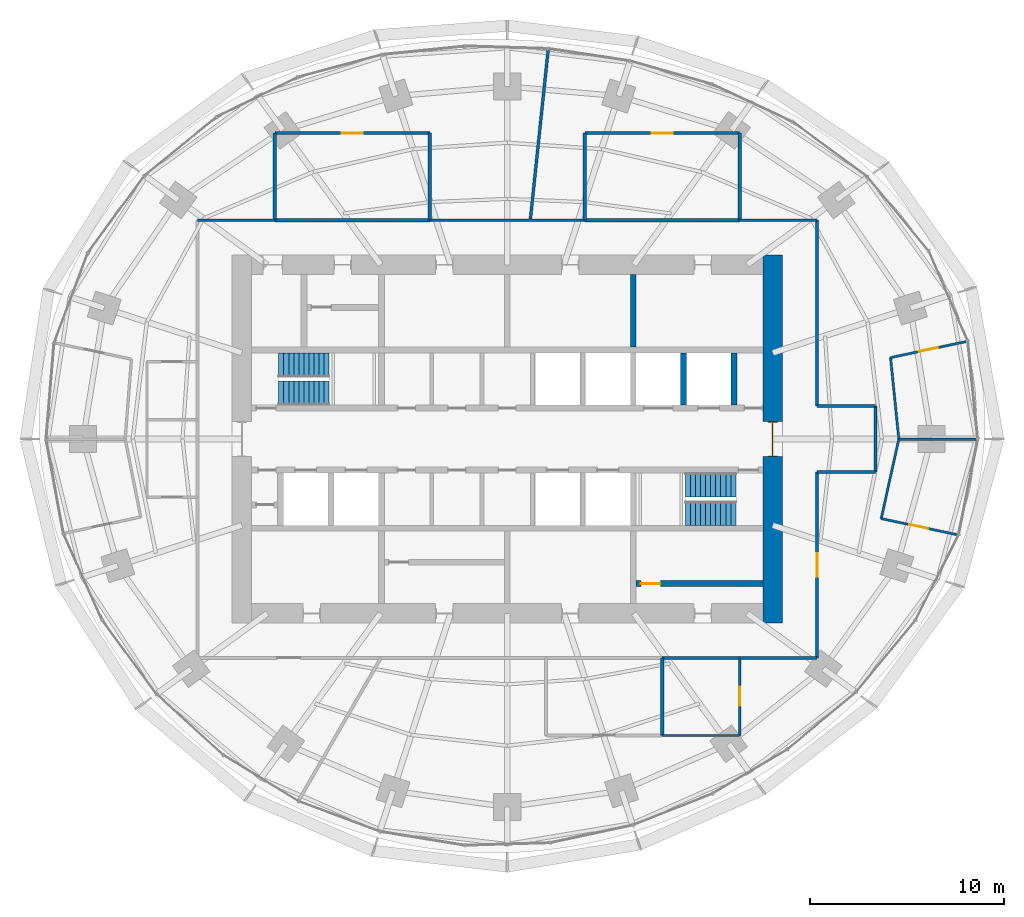
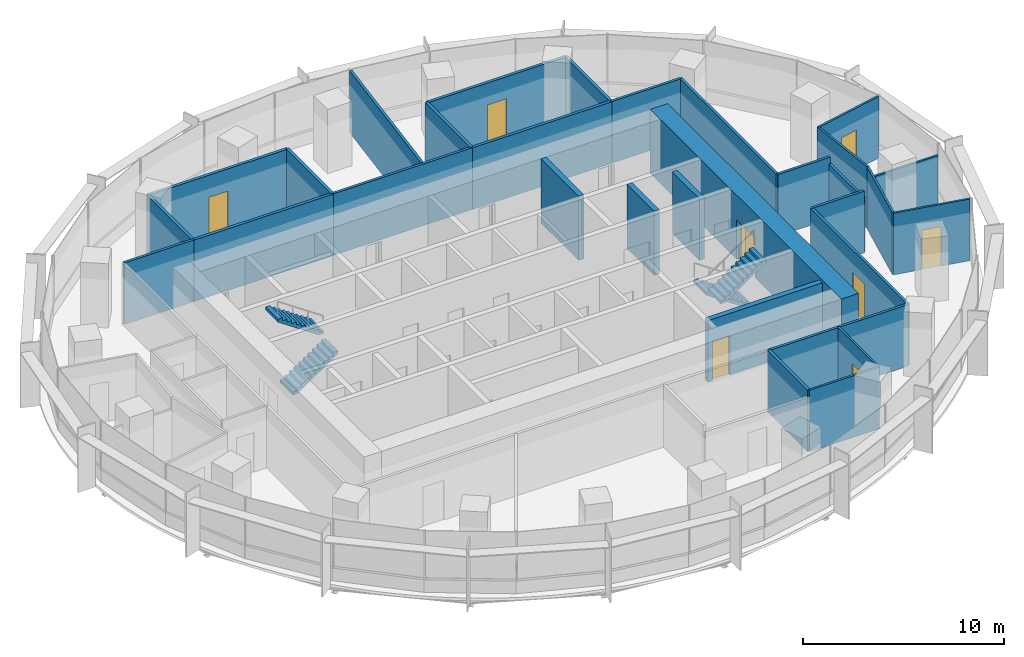
# One storey, part 12 of 14: 31 walls, 8 doors, 4 stair flights, 8 openings, 2 elements without a shape of their own.
"""IFC4 building model written with IfcOpenShell, lengths in metres."""

from ifc_helpers import new_model, si_unit, direction, frame, frame_2d, origin, place, context, subcontext, project, spatial, polyline, rectangle, outline, extrude, material, layer, layer_set, type_object, element, fill, aggregate, save


model = new_model("IFC4")

# Units and contexts
model_context = context("Model", 3, precision=1e-05, world=origin(), true_north=direction((0.0, 1.0)))
body_context = subcontext(model_context, "Body", "Model", "MODEL_VIEW")
ifc_project = project(units=[si_unit("LENGTHUNIT", "METRE"), si_unit("AREAUNIT", "SQUARE_METRE"), si_unit("VOLUMEUNIT", "CUBIC_METRE"), si_unit("PLANEANGLEUNIT", "RADIAN"), si_unit("MASSUNIT", "GRAM", prefix="KILO")], contexts=[model_context])

# Site, building, storey
site_placement = place(None, origin())
site = spatial("IfcSite", under=ifc_project, at=site_placement, CompositionType="ELEMENT")
building_placement = place(site_placement, origin())
building = spatial("IfcBuilding", under=site, at=building_placement, Name="Marramba Exchange Tower", CompositionType="ELEMENT")
storey_placement = place(building_placement, frame((0.0, 0.0, 183.800048828125)))
storey = spatial("IfcBuildingStorey", under=building, at=storey_placement, Name="L44", CompositionType="ELEMENT", Elevation=183.800048828125)

# Walls
ifc_material_1 = material(Name="Plasterboard on staggered double steel studs, acoustic insulation", Category="steel")
ifc_layer_1 = layer(ifc_material_1, 0.169921875)
ifc_layer_set_1 = layer_set([ifc_layer_1], Name="Acoustic partition 170")
wall_type_1 = type_object("IfcWallType", Name="Acoustic partition 170", PredefinedType="PARTITIONING", material=ifc_layer_set_1)
wall_1_placement = place(storey_placement, frame((8.0, -11.300048828125, 0.0), z_axis=(0.0, 0.0, 1.0), x_axis=(0.0, -1.0, 0.0)))
element("IfcWall", 1, at=wall_1_placement, inside=storey, type_object=wall_type_1, Name="Acoustic partition L44 09", PredefinedType="PARTITIONING", context=body_context, shape_type="SweptSolid", body=[
    extrude(rectangle(XDim=4.0, YDim=0.169921875, at=frame_2d((2.0, 0.0))), origin(), (0.0, 0.0, 1.0), 3.739990234375),
])
wall_2_placement = place(storey_placement, frame((12.0, 11.300048828125, 0.0), z_axis=(0.0, 0.0, 1.0), x_axis=(0.0, 1.0, 0.0)))
element("IfcWall", 2, at=wall_2_placement, inside=storey, type_object=wall_type_1, Name="Acoustic partition L44 24", PredefinedType="PARTITIONING", context=body_context, shape_type="SweptSolid", body=[
    extrude(rectangle(XDim=4.5, YDim=0.169921875, at=frame_2d((2.25, 0.0))), origin(), (0.0, 0.0, 1.0), 3.739990234375),
])
wall_3_placement = place(storey_placement, frame((4.0, 11.300048828125, 0.0), z_axis=(0.0, 0.0, 1.0), x_axis=(1.0, 0.0, 0.0)))
element("IfcWall", 3, at=wall_3_placement, inside=storey, type_object=wall_type_1, Name="Acoustic partition L44 25", PredefinedType="PARTITIONING", context=body_context, shape_type="SweptSolid", body=[
    extrude(rectangle(XDim=8.0, YDim=0.169921875, at=frame_2d((4.0, 0.0))), origin(), (0.0, 0.0, 1.0), 3.739990234375),
])

# Wall, opening, door
wall_4_placement = place(storey_placement, frame((12.0, 15.800048828125, 0.0), z_axis=(0.0, 0.0, 1.0), x_axis=(-1.0, 0.0, 0.0)))
wall_4 = element("IfcWall", 4, at=wall_4_placement, inside=storey, type_object=wall_type_1, Name="Acoustic partition L44 26", PredefinedType="PARTITIONING", context=body_context, shape_type="SweptSolid", body=[
    extrude(rectangle(XDim=8.0, YDim=0.169921875, at=frame_2d((4.0, 0.0))), origin(), (0.0, 0.0, 1.0), 3.739990234375),
])
opening_1_placement = place(wall_4_placement, frame((3.449951171875, 0.0, 0.0)))
opening_1 = element("IfcOpeningElement", 5, at=opening_1_placement, cuts=wall_4, Name="Opening D15", PredefinedType="OPENING", context=body_context, shape_type="SweptSolid", body=[
    extrude(rectangle(XDim=1.10009765625, YDim=2.39990234375, at=frame_2d((0.550048828125, 1.199951171875))), frame((0.0, 0.094970703125, 0.0), z_axis=(0.0, -1.0, 0.0), x_axis=(1.0, 0.0, 0.0)), (0.0, 0.0, 1.0), 0.18994140625),
])
ifc_material_2 = material(Name="Timber door", Category="wood")
door_type_1 = type_object("IfcDoorType", Name="Glazed meeting room door 1100x2400", OperationType="SINGLE_SWING_LEFT", PredefinedType="DOOR", material=ifc_material_2)
door_1_placement = place(opening_1_placement, origin())
door_1 = element("IfcDoor", 6, at=door_1_placement, inside=storey, type_object=door_type_1, Name="D15 Meeting Room 1 L44", OperationType="SINGLE_SWING_RIGHT", OverallHeight=2.39990234375, OverallWidth=1.10009765625, PredefinedType="DOOR", context=body_context, shape_type="SweptSolid", body=[
    extrude(rectangle(XDim=1.10009765625, YDim=2.39990234375, at=frame_2d((0.550048828125, 1.199951171875))), frame((0.0, 0.02490234375, 0.0), z_axis=(0.0, -1.0, 0.0), x_axis=(1.0, 0.0, 0.0)), (0.0, 0.0, 1.0), 0.050048828125),
])
fill(opening_1, door_1)

# Walls
for number, where, z_axis, x_axis, name in (
    (7, (4.0, 15.800048828125, 0.0), (0.0, 0.0, 1.0), (0.0, -1.0, 0.0), "Acoustic partition L44 27"),
    (8, (-4.0, 11.300048828125, 0.0), (0.0, 0.0, 1.0), (0.0, 1.0, 0.0), "Acoustic partition L44 30"),
):
    element("IfcWall", number, at=place(storey_placement, frame(where, z_axis=z_axis, x_axis=x_axis)), inside=storey, type_object=wall_type_1, Name=name, PredefinedType="PARTITIONING", context=body_context, shape_type="SweptSolid", body=[
        extrude(rectangle(XDim=4.5, YDim=0.169921875, at=frame_2d((2.25, 0.0))), origin(), (0.0, 0.0, 1.0), 3.739990234375),
    ])

# Wall, opening, door
wall_5_placement = place(storey_placement, frame((-4.0, 15.800048828125, 0.0), z_axis=(0.0, 0.0, 1.0), x_axis=(-1.0, 0.0, 0.0)))
wall_5 = element("IfcWall", 9, at=wall_5_placement, inside=storey, type_object=wall_type_1, Name="Acoustic partition L44 31", PredefinedType="PARTITIONING", context=body_context, shape_type="SweptSolid", body=[
    extrude(rectangle(XDim=8.0, YDim=0.169921875, at=frame_2d((4.0, 0.0))), origin(), (0.0, 0.0, 1.0), 3.739990234375),
])
opening_2_placement = place(wall_5_placement, frame((3.449951171875, 0.0, 0.0)))
opening_2 = element("IfcOpeningElement", 10, at=opening_2_placement, cuts=wall_5, Name="Opening D15", PredefinedType="OPENING", context=body_context, shape_type="SweptSolid", body=[
    extrude(rectangle(XDim=1.10009765625, YDim=2.39990234375, at=frame_2d((0.550048828125, 1.199951171875))), frame((0.0, 0.094970703125, 0.0), z_axis=(0.0, -1.0, 0.0), x_axis=(1.0, 0.0, 0.0)), (0.0, 0.0, 1.0), 0.18994140625),
])
door_2_placement = place(opening_2_placement, origin())
door_2 = element("IfcDoor", 11, at=door_2_placement, inside=storey, type_object=door_type_1, Name="D15 Meeting Room 3 L44", OperationType="SINGLE_SWING_RIGHT", OverallHeight=2.39990234375, OverallWidth=1.10009765625, PredefinedType="DOOR", context=body_context, shape_type="SweptSolid", body=[
    extrude(rectangle(XDim=1.10009765625, YDim=2.39990234375, at=frame_2d((0.550048828125, 1.199951171875))), frame((0.0, 0.02490234375, 0.0), z_axis=(0.0, -1.0, 0.0), x_axis=(1.0, 0.0, 0.0)), (0.0, 0.0, 1.0), 0.050048828125),
])
fill(opening_2, door_2)

# Walls
wall_6_placement = place(storey_placement, frame((-12.0, 11.300048828125, 0.0), z_axis=(0.0, 0.0, 1.0), x_axis=(1.0, 0.0, 0.0)))
element("IfcWall", 12, at=wall_6_placement, inside=storey, type_object=wall_type_1, Name="Acoustic partition L44 32", PredefinedType="PARTITIONING", context=body_context, shape_type="SweptSolid", body=[
    extrude(rectangle(XDim=8.0, YDim=0.169921875, at=frame_2d((4.0, 0.0))), origin(), (0.0, 0.0, 1.0), 3.739990234375),
])
wall_7_placement = place(storey_placement, frame((-12.0, 15.800048828125, 0.0), z_axis=(0.0, 0.0, 1.0), x_axis=(0.0, -1.0, 0.0)))
element("IfcWall", 13, at=wall_7_placement, inside=storey, type_object=wall_type_1, Name="Acoustic partition L44 33", PredefinedType="PARTITIONING", context=body_context, shape_type="SweptSolid", body=[
    extrude(rectangle(XDim=4.5, YDim=0.169921875, at=frame_2d((2.25, 0.0))), origin(), (0.0, 0.0, 1.0), 3.739990234375),
])

# Wall, opening, door
ifc_material_3 = material(Name="Concrete N50", Category="concrete")
ifc_layer_2 = layer(ifc_material_3, 1.0)
ifc_layer_set_2 = layer_set([ifc_layer_2], Name="Core wall 1000")
wall_type_2 = type_object("IfcWallType", Name="Core wall 1000", PredefinedType="SHEAR", material=ifc_layer_set_2)
wall_8_placement = place(storey_placement, frame((13.699951171875, -9.5, 0.0), z_axis=(0.0, 0.0, 1.0), x_axis=(0.0, 1.0, 0.0)))
wall_8 = element("IfcWall", 14, at=wall_8_placement, inside=storey, type_object=wall_type_2, Name="Core wall E L44", PredefinedType="SHEAR", context=body_context, shape_type="SweptSolid", body=[
    extrude(rectangle(XDim=19.0, YDim=1.0, at=frame_2d((9.5, 0.0))), origin(), (0.0, 0.0, 1.0), 3.89990234375),
])
opening_3_placement = place(wall_8_placement, frame((8.60009765625, 0.0, 0.0)))
opening_3 = element("IfcOpeningElement", 15, at=opening_3_placement, cuts=wall_8, Name="Opening D1", PredefinedType="OPENING", context=body_context, shape_type="SweptSolid", body=[
    extrude(rectangle(XDim=1.800048828125, YDim=2.39990234375, at=frame_2d((0.89990234375, 1.199951171875))), frame((0.0, 0.510009765625, 0.0), z_axis=(0.0, -1.0, 0.0), x_axis=(1.0, 0.0, 0.0)), (0.0, 0.0, 1.0), 1.02001953125),
])
ifc_material_4 = material(Name="Steel-framed door", Category="steel")
door_type_2 = type_object("IfcDoorType", Name="Lobby exit door 1800x2400", OperationType="DOUBLE_DOOR_SINGLE_SWING", PredefinedType="DOOR", material=ifc_material_4)
door_3_placement = place(opening_3_placement, origin())
door_3 = element("IfcDoor", 16, at=door_3_placement, inside=storey, type_object=door_type_2, Name="D1 lobby exit east L44", OperationType="DOUBLE_DOOR_SINGLE_SWING", OverallHeight=2.39990234375, OverallWidth=1.800048828125, PredefinedType="DOOR", context=body_context, shape_type="SweptSolid", body=[
    extrude(rectangle(XDim=1.719970703125, YDim=2.35986328125, at=frame_2d((0.89990234375, 1.179931640625))), frame((0.0, 0.02490234375, 0.0), z_axis=(0.0, -1.0, 0.0), x_axis=(1.0, 0.0, 0.0)), (0.0, 0.0, 1.0), 0.050048828125),
    extrude(rectangle(XDim=0.04, YDim=2.39990234375, at=frame_2d((0.02001953125, 1.199951171875))), frame((0.0, 0.25, 0.0), z_axis=(0.0, -1.0, 0.0), x_axis=(1.0, 0.0, 0.0)), (0.0, 0.0, 1.0), 0.5),
    extrude(rectangle(XDim=0.04, YDim=2.39990234375, at=frame_2d((1.780029296875, 1.199951171875))), frame((0.0, 0.25, 0.0), z_axis=(0.0, -1.0, 0.0), x_axis=(1.0, 0.0, 0.0)), (0.0, 0.0, 1.0), 0.5),
    extrude(rectangle(XDim=1.719970703125, YDim=0.04, at=frame_2d((0.89990234375, 2.3798828125))), frame((0.0, 0.25, 0.0), z_axis=(0.0, -1.0, 0.0), x_axis=(1.0, 0.0, 0.0)), (0.0, 0.0, 1.0), 0.5),
])
fill(opening_3, door_3)

# Walls
ifc_layer_3 = layer(ifc_material_3, 0.300048828125)
ifc_layer_set_3 = layer_set([ifc_layer_3], Name="Core wall 300")
wall_type_3 = type_object("IfcWallType", Name="Core wall 300", PredefinedType="SHEAR", material=ifc_layer_set_3)
wall_9_placement = place(storey_placement, frame((6.5, 4.75, 0.0), z_axis=(0.0, 0.0, 1.0), x_axis=(0.0, 1.0, 0.0)))
element("IfcWall", 17, at=wall_9_placement, inside=storey, type_object=wall_type_3, Name="Core wall X1Nb L44", PredefinedType="SHEAR", context=body_context, shape_type="SweptSolid", body=[
    extrude(rectangle(XDim=3.75, YDim=0.300048828125, at=frame_2d((1.875, 0.0))), origin(), (0.0, 0.0, 1.0), 3.89990234375),
])
wall_10_placement = place(storey_placement, frame((9.10009765625, 1.75, 0.0), z_axis=(0.0, 0.0, 1.0), x_axis=(0.0, 1.0, 0.0)))
element("IfcWall", 18, at=wall_10_placement, inside=storey, type_object=wall_type_3, Name="Core wall ED L44", PredefinedType="SHEAR", context=body_context, shape_type="SweptSolid", body=[
    extrude(rectangle(XDim=2.699951171875, YDim=0.300048828125, at=frame_2d((1.35009765625, 0.0))), origin(), (0.0, 0.0, 1.0), 3.89990234375),
])
ifc_material_5 = material(Name="Core-filled concrete blockwork", Category="masonry")
ifc_layer_4 = layer(ifc_material_5, 0.300048828125)
ifc_layer_set_4 = layer_set([ifc_layer_4], Name="Lift shaft wall 300")
wall_type_4 = type_object("IfcWallType", Name="Lift shaft wall 300", PredefinedType="SOLIDWALL", material=ifc_layer_set_4)
wall_11_placement = place(storey_placement, frame((11.699951171875, 1.75, 0.0), z_axis=(0.0, 0.0, 1.0), x_axis=(0.0, 1.0, 0.0)))
element("IfcWall", 19, at=wall_11_placement, inside=storey, type_object=wall_type_4, Name="Lift shaft wall E1 L44", PredefinedType="SOLIDWALL", context=body_context, shape_type="SweptSolid", body=[
    extrude(rectangle(XDim=2.699951171875, YDim=0.300048828125, at=frame_2d((1.35009765625, 0.0))), origin(), (0.0, 0.0, 1.0), 3.739990234375),
])
ifc_material_6 = material(Name="Plasterboard on steel studs", Category="steel")
ifc_layer_5 = layer(ifc_material_6, 0.1201171875)
ifc_layer_set_5 = layer_set([ifc_layer_5], Name="Partition 120")
wall_type_5 = type_object("IfcWallType", Name="Partition 120", PredefinedType="PARTITIONING", material=ifc_layer_set_5)
wall_12_placement = place(storey_placement, frame((8.0, -15.300048828125, 0.0), z_axis=(0.0, 0.0, 1.0), x_axis=(1.0, 0.0, 0.0)))
element("IfcWall", 20, at=wall_12_placement, inside=storey, type_object=wall_type_5, Name="Partition L44 10", PredefinedType="PARTITIONING", context=body_context, shape_type="SweptSolid", body=[
    extrude(rectangle(XDim=4.0, YDim=0.1201171875, at=frame_2d((2.0, 0.0))), origin(), (0.0, 0.0, 1.0), 3.739990234375),
])

# Wall, opening, door
wall_13_placement = place(storey_placement, frame((12.0, -15.300048828125, 0.0), z_axis=(0.0, 0.0, 1.0), x_axis=(0.0, 1.0, 0.0)))
wall_13 = element("IfcWall", 21, at=wall_13_placement, inside=storey, type_object=wall_type_5, Name="Partition L44 11", PredefinedType="PARTITIONING", context=body_context, shape_type="SweptSolid", body=[
    extrude(rectangle(XDim=4.0, YDim=0.1201171875, at=frame_2d((2.0, 0.0))), origin(), (0.0, 0.0, 1.0), 3.739990234375),
])
opening_4_placement = place(wall_13_placement, frame((1.52587890625, 0.0, 0.0)))
opening_4 = element("IfcOpeningElement", 22, at=opening_4_placement, cuts=wall_13, Name="Opening D9", PredefinedType="OPENING", context=body_context, shape_type="SweptSolid", body=[
    extrude(rectangle(XDim=1.0, YDim=2.39990234375, at=frame_2d((0.5, 1.199951171875))), frame((0.0, 0.070068359375, 0.0), z_axis=(0.0, -1.0, 0.0), x_axis=(1.0, 0.0, 0.0)), (0.0, 0.0, 1.0), 0.14013671875),
])
door_type_3 = type_object("IfcDoorType", Name="Room door 1000x2400", OperationType="SINGLE_SWING_LEFT", PredefinedType="DOOR", material=ifc_material_2)
door_4_placement = place(opening_4_placement, origin())
door_4 = element("IfcDoor", 23, at=door_4_placement, inside=storey, type_object=door_type_3, Name="D9 Pantry 1 L44", OperationType="SINGLE_SWING_RIGHT", OverallHeight=2.39990234375, OverallWidth=1.0, PredefinedType="DOOR", context=body_context, shape_type="SweptSolid", body=[
    extrude(rectangle(XDim=1.0, YDim=2.39990234375, at=frame_2d((0.5, 1.199951171875))), frame((0.0, 0.02490234375, 0.0), z_axis=(0.0, -1.0, 0.0), x_axis=(1.0, 0.0, 0.0)), (0.0, 0.0, 1.0), 0.050048828125),
])
fill(opening_4, door_4)

wall_14_placement = place(storey_placement, frame((19.3056640625, -4.103515625, 0.0), z_axis=(0.0, 0.0, 1.0), x_axis=(0.978137903693, -0.207957306576, 0.0)))
wall_14 = element("IfcWall", 24, at=wall_14_placement, inside=storey, type_object=wall_type_5, Name="Partition L44 14", PredefinedType="PARTITIONING", context=body_context, shape_type="SweptSolid", body=[
    extrude(rectangle(XDim=3.999755859375, YDim=0.1201171875, at=frame_2d((2.0, 0.0))), origin(), (0.0, 0.0, 1.0), 3.739990234375),
])
opening_5_placement = place(wall_14_placement, frame((1.47412109375, 0.0, 0.0)))
opening_5 = element("IfcOpeningElement", 25, at=opening_5_placement, cuts=wall_14, Name="Opening D9", PredefinedType="OPENING", context=body_context, shape_type="SweptSolid", body=[
    extrude(rectangle(XDim=1.0, YDim=2.39990234375, at=frame_2d((0.5, 1.199951171875))), frame((0.0, 0.070068359375, 0.0), z_axis=(0.0, -1.0, 0.0), x_axis=(1.0, 0.0, 0.0)), (0.0, 0.0, 1.0), 0.14013671875),
])
door_5_placement = place(opening_5_placement, origin())
door_5 = element("IfcDoor", 26, at=door_5_placement, inside=storey, type_object=door_type_3, Name="D9 Office 1 L44", OperationType="SINGLE_SWING_LEFT", OverallHeight=2.39990234375, OverallWidth=1.0, PredefinedType="DOOR", context=body_context, shape_type="SweptSolid", body=[
    extrude(rectangle(XDim=1.0, YDim=2.39990234375, at=frame_2d((0.5, 1.199951171875))), frame((0.0, 0.02490234375, 0.0), z_axis=(0.0, -1.0, 0.0), x_axis=(1.0, 0.0, 0.0)), (0.0, 0.0, 1.0), 0.050048828125),
])
fill(opening_5, door_5)

# Walls
wall_15_placement = place(storey_placement, frame((20.214111328125, 0.0, 0.0), z_axis=(0.0, 0.0, 1.0), x_axis=(-0.216149261834, -0.976360331337, 0.0)))
element("IfcWall", 27, at=wall_15_placement, inside=storey, type_object=wall_type_5, Name="Partition L44 15", PredefinedType="PARTITIONING", context=body_context, shape_type="SweptSolid", body=[
    extrude(rectangle(XDim=4.202880859375, YDim=0.1201171875, at=frame_2d((2.1015625, 0.0))), origin(), (0.0, 0.0, 1.0), 3.739990234375),
])
wall_16_placement = place(storey_placement, frame((20.214111328125, 0.0, 0.0), z_axis=(0.0, 0.0, 1.0), x_axis=(1.0, 0.0, 0.0)))
element("IfcWall", 28, at=wall_16_placement, inside=storey, type_object=wall_type_5, Name="Partition L44 18", PredefinedType="PARTITIONING", context=body_context, shape_type="SweptSolid", body=[
    extrude(rectangle(XDim=4.0, YDim=0.1201171875, at=frame_2d((2.0, 0.0))), origin(), (0.0, 0.0, 1.0), 3.0400390625),
])
wall_17_placement = place(storey_placement, frame((19.787841796875, 4.2060546875, 0.0), z_axis=(0.0, 0.0, 1.0), x_axis=(0.100830147459, -0.994903654312, 0.0)))
element("IfcWall", 29, at=wall_17_placement, inside=storey, type_object=wall_type_5, Name="Partition L44 20", PredefinedType="PARTITIONING", context=body_context, shape_type="SweptSolid", body=[
    extrude(rectangle(XDim=4.2275390625, YDim=0.1201171875, at=frame_2d((2.11376953125, 0.0))), origin(), (0.0, 0.0, 1.0), 3.739990234375),
])

# Wall, opening, door
wall_18_placement = place(storey_placement, frame((23.700439453125, 5.03759765625, 0.0), z_axis=(0.0, 0.0, 1.0), x_axis=(-0.978152955943, -0.207886494942, 0.0)))
wall_18 = element("IfcWall", 30, at=wall_18_placement, inside=storey, type_object=wall_type_5, Name="Partition L44 21", PredefinedType="PARTITIONING", context=body_context, shape_type="SweptSolid", body=[
    extrude(rectangle(XDim=4.0, YDim=0.1201171875, at=frame_2d((2.0, 0.0))), origin(), (0.0, 0.0, 1.0), 3.739990234375),
])
opening_6_placement = place(wall_18_placement, frame((1.5, 0.0, 0.0)))
opening_6 = element("IfcOpeningElement", 31, at=opening_6_placement, cuts=wall_18, Name="Opening D9", PredefinedType="OPENING", context=body_context, shape_type="SweptSolid", body=[
    extrude(rectangle(XDim=1.0, YDim=2.39990234375, at=frame_2d((0.5, 1.199951171875))), frame((0.0, 0.070068359375, 0.0), z_axis=(0.0, -1.0, 0.0), x_axis=(1.0, 0.0, 0.0)), (0.0, 0.0, 1.0), 0.14013671875),
])
door_6_placement = place(opening_6_placement, origin())
door_6 = element("IfcDoor", 32, at=door_6_placement, inside=storey, type_object=door_type_3, Name="D9 Office 2 L44", OperationType="SINGLE_SWING_RIGHT", OverallHeight=2.39990234375, OverallWidth=1.0, PredefinedType="DOOR", context=body_context, shape_type="SweptSolid", body=[
    extrude(rectangle(XDim=1.0, YDim=2.39990234375, at=frame_2d((0.5, 1.199951171875))), frame((0.0, 0.02490234375, 0.0), z_axis=(0.0, -1.0, 0.0), x_axis=(1.0, 0.0, 0.0)), (0.0, 0.0, 1.0), 0.050048828125),
])
fill(opening_6, door_6)

ifc_material_7 = material(Name="Plasterboard on steel studs, insulated, unrated", Category="steel")
ifc_layer_6 = layer(ifc_material_7, 0.300048828125)
ifc_layer_set_6 = layer_set([ifc_layer_6], Name="Store partition 300")
wall_type_6 = type_object("IfcWallType", Name="Store partition 300", PredefinedType="PARTITIONING", material=ifc_layer_set_6)
wall_19_placement = place(storey_placement, frame((6.64990234375, -7.4599609375, 0.0), z_axis=(0.0, 0.0, 1.0), x_axis=(1.0, 0.0, 0.0)))
wall_19 = element("IfcWall", 33, at=wall_19_placement, inside=storey, type_object=wall_type_6, Name="Store partition L44 cstore", PredefinedType="PARTITIONING", context=body_context, shape_type="SweptSolid", body=[
    extrude(rectangle(XDim=6.550048828125, YDim=0.300048828125, at=frame_2d((3.27490234375, 0.0))), origin(), (0.0, 0.0, 1.0), 3.739990234375),
])
opening_7_placement = place(wall_19_placement, frame((0.25, 0.0, 0.0)))
opening_7 = element("IfcOpeningElement", 34, at=opening_7_placement, cuts=wall_19, Name="Opening D9", PredefinedType="OPENING", context=body_context, shape_type="SweptSolid", body=[
    extrude(rectangle(XDim=1.0, YDim=2.39990234375, at=frame_2d((0.5, 1.199951171875))), frame((0.0, 0.159912109375, 0.0), z_axis=(0.0, -1.0, 0.0), x_axis=(1.0, 0.0, 0.0)), (0.0, 0.0, 1.0), 0.320068359375),
])
door_7_placement = place(opening_7_placement, frame((1.0, 0.0, 0.0), z_axis=(0.0, 0.0, 1.0), x_axis=(-1.0, 0.0, 0.0)))
door_7 = element("IfcDoor", 35, at=door_7_placement, inside=storey, type_object=door_type_3, Name="D9 general store L44", OperationType="SINGLE_SWING_RIGHT", OverallHeight=2.39990234375, OverallWidth=1.0, PredefinedType="DOOR", context=body_context, shape_type="SweptSolid", body=[
    extrude(rectangle(XDim=1.0, YDim=2.39990234375, at=frame_2d((0.5, 1.199951171875))), frame((0.0, 0.025146484375, 0.0), z_axis=(0.0, -1.0, 0.0), x_axis=(1.0, 0.0, 0.0)), (0.0, 0.0, 1.0), 0.050048828125),
])
fill(opening_7, door_7)

# Wall
ifc_material_8 = material(Name="Fire-rated plasterboard on steel studs, acoustic insulation", Category="steel")
ifc_layer_7 = layer(ifc_material_8, 0.14990234375)
ifc_layer_set_7 = layer_set([ifc_layer_7], Name="Tenancy wall 150")
wall_type_7 = type_object("IfcWallType", Name="Tenancy wall 150", PredefinedType="PARTITIONING", material=ifc_layer_set_7)
wall_20_placement = place(storey_placement, frame((8.0, -11.300048828125, 0.0), z_axis=(0.0, 0.0, 1.0), x_axis=(1.0, 0.0, 0.0)))
element("IfcWall", 36, at=wall_20_placement, inside=storey, type_object=wall_type_7, Name="Tenancy wall L44 12", PredefinedType="PARTITIONING", context=body_context, shape_type="SweptSolid", body=[
    extrude(rectangle(XDim=8.0, YDim=0.14990234375, at=frame_2d((4.0, 0.0))), origin(), (0.0, 0.0, 1.0), 3.739990234375),
])

# Wall, opening, door
wall_21_placement = place(storey_placement, frame((16.0, -11.300048828125, 0.0), z_axis=(0.0, 0.0, 1.0), x_axis=(0.0, 1.0, 0.0)))
wall_21 = element("IfcWall", 37, at=wall_21_placement, inside=storey, type_object=wall_type_7, Name="Tenancy wall L44 13", PredefinedType="PARTITIONING", context=body_context, shape_type="SweptSolid", body=[
    extrude(rectangle(XDim=9.60009765625, YDim=0.14990234375, at=frame_2d((4.800048828125, 0.0))), origin(), (0.0, 0.0, 1.0), 3.739990234375),
])
opening_8_placement = place(wall_21_placement, frame((4.199951171875, 0.0, 0.0)))
opening_8 = element("IfcOpeningElement", 38, at=opening_8_placement, cuts=wall_21, Name="Opening D13", PredefinedType="OPENING", context=body_context, shape_type="SweptSolid", body=[
    extrude(rectangle(XDim=1.199951171875, YDim=2.39990234375, at=frame_2d((0.60009765625, 1.199951171875))), frame((0.0, 0.0849609375, 0.0), z_axis=(0.0, -1.0, 0.0), x_axis=(1.0, 0.0, 0.0)), (0.0, 0.0, 1.0), 0.169921875),
])
door_type_4 = type_object("IfcDoorType", Name="Tenancy entry door 1200x2400", OperationType="SINGLE_SWING_LEFT", PredefinedType="DOOR", material=ifc_material_4)
door_8_placement = place(opening_8_placement, origin())
door_8 = element("IfcDoor", 39, at=door_8_placement, inside=storey, type_object=door_type_4, Name="D13 Office 1 L44", OperationType="SINGLE_SWING_LEFT", OverallHeight=2.39990234375, OverallWidth=1.199951171875, PredefinedType="DOOR", context=body_context, shape_type="SweptSolid", body=[
    extrude(rectangle(XDim=1.199951171875, YDim=2.39990234375, at=frame_2d((0.60009765625, 1.199951171875))), frame((0.0, 0.02490234375, 0.0), z_axis=(0.0, -1.0, 0.0), x_axis=(1.0, 0.0, 0.0)), (0.0, 0.0, 1.0), 0.050048828125),
])
fill(opening_8, door_8)

# Walls
wall_22_placement = place(storey_placement, frame((16.0, -1.699951171875, 0.0), z_axis=(0.0, 0.0, 1.0), x_axis=(1.0, 0.0, 0.0)))
element("IfcWall", 40, at=wall_22_placement, inside=storey, type_object=wall_type_7, Name="Tenancy wall L44 16", PredefinedType="PARTITIONING", context=body_context, shape_type="SweptSolid", body=[
    extrude(rectangle(XDim=3.0, YDim=0.14990234375, at=frame_2d((1.5, 0.0))), origin(), (0.0, 0.0, 1.0), 3.739990234375),
])
wall_23_placement = place(storey_placement, frame((19.0, -1.699951171875, 0.0), z_axis=(0.0, 0.0, 1.0), x_axis=(0.0, 1.0, 0.0)))
element("IfcWall", 41, at=wall_23_placement, inside=storey, type_object=wall_type_7, Name="Tenancy wall L44 17", PredefinedType="PARTITIONING", context=body_context, shape_type="SweptSolid", body=[
    extrude(rectangle(XDim=3.39990234375, YDim=0.14990234375, at=frame_2d((1.699951171875, 0.0))), origin(), (0.0, 0.0, 1.0), 3.333984375),
])
wall_24_placement = place(storey_placement, frame((19.0, 1.699951171875, 0.0), z_axis=(0.0, 0.0, 1.0), x_axis=(-1.0, 0.0, 0.0)))
element("IfcWall", 42, at=wall_24_placement, inside=storey, type_object=wall_type_7, Name="Tenancy wall L44 19", PredefinedType="PARTITIONING", context=body_context, shape_type="SweptSolid", body=[
    extrude(rectangle(XDim=3.0, YDim=0.14990234375, at=frame_2d((1.5, 0.0))), origin(), (0.0, 0.0, 1.0), 3.739990234375),
])
wall_25_placement = place(storey_placement, frame((16.0, 1.699951171875, 0.0), z_axis=(0.0, 0.0, 1.0), x_axis=(0.0, 1.0, 0.0)))
element("IfcWall", 43, at=wall_25_placement, inside=storey, type_object=wall_type_7, Name="Tenancy wall L44 22", PredefinedType="PARTITIONING", context=body_context, shape_type="SweptSolid", body=[
    extrude(rectangle(XDim=9.60009765625, YDim=0.14990234375, at=frame_2d((4.800048828125, 0.0))), origin(), (0.0, 0.0, 1.0), 3.739990234375),
])
wall_26_placement = place(storey_placement, frame((16.0, 11.300048828125, 0.0), z_axis=(0.0, 0.0, 1.0), x_axis=(-1.0, 0.0, 0.0)))
element("IfcWall", 44, at=wall_26_placement, inside=storey, type_object=wall_type_7, Name="Tenancy wall L44 23", PredefinedType="PARTITIONING", context=body_context, shape_type="SweptSolid", body=[
    extrude(rectangle(XDim=4.0, YDim=0.14990234375, at=frame_2d((2.0, 0.0))), origin(), (0.0, 0.0, 1.0), 3.739990234375),
])
wall_27_placement = place(storey_placement, frame((1.187744140625, 11.300048828125, 0.0), z_axis=(0.0, 0.0, 1.0), x_axis=(0.104530715581, 0.994521658638, 0.0)))
element("IfcWall", 45, at=wall_27_placement, inside=storey, type_object=wall_type_7, Name="Tenancy wall L44 28", PredefinedType="PARTITIONING", context=body_context, shape_type="SweptSolid", body=[
    extrude(rectangle(XDim=8.826171875, YDim=0.14990234375, at=frame_2d((4.4130859375, 0.0))), origin(), (0.0, 0.0, 1.0), 3.739990234375),
])
wall_28_placement = place(storey_placement, frame((4.0, 11.300048828125, 0.0), z_axis=(0.0, 0.0, 1.0), x_axis=(-1.0, 0.0, 0.0)))
element("IfcWall", 46, at=wall_28_placement, inside=storey, type_object=wall_type_7, Name="Tenancy wall L44 29", PredefinedType="PARTITIONING", context=body_context, shape_type="SweptSolid", body=[
    extrude(rectangle(XDim=8.0, YDim=0.14990234375, at=frame_2d((4.0, 0.0))), origin(), (0.0, 0.0, 1.0), 3.739990234375),
])
wall_29_placement = place(storey_placement, frame((-12.0, 11.300048828125, 0.0), z_axis=(0.0, 0.0, 1.0), x_axis=(-1.0, 0.0, 0.0)))
element("IfcWall", 47, at=wall_29_placement, inside=storey, type_object=wall_type_7, Name="Tenancy wall L44 34", PredefinedType="PARTITIONING", context=body_context, shape_type="SweptSolid", body=[
    extrude(rectangle(XDim=4.0, YDim=0.14990234375, at=frame_2d((2.0, 0.0))), origin(), (0.0, 0.0, 1.0), 3.739990234375),
])

# Stair, stair flights
ifc_material_9 = material(Name="Concrete N40 (40 MPa)", Category="concrete")
stair_type_1 = type_object("IfcStairType", Name="Exit stair ST1 3900 x 1250", PredefinedType="HALF_TURN_STAIR", material=ifc_material_9)
stair_1_placement = place(storey_placement, origin())
stair_1 = element("IfcStair", 48, at=stair_1_placement, inside=storey, type_object=stair_type_1, Name="Exit stair ST1 L44", PredefinedType="HALF_TURN_STAIR")
stair_flight_type_1 = type_object("IfcStairFlightType", Name="ST1 stair flight 1773 riser 1250 wide", PredefinedType="STRAIGHT", material=ifc_material_9)
stair_flight_1_placement = place(storey_placement, frame((-11.800048828125, 2.375, 0.0), z_axis=(0.0, 0.0, 1.0), x_axis=(1.0, 0.0, 0.0)))
stair_flight_1 = element("IfcStairFlight", 49, at=stair_flight_1_placement, type_object=stair_flight_type_1, Name="ST1 flight 1", NumberOfRisers=11, NumberOfTreads=10, PredefinedType="STRAIGHT", RiserHeight=0.177272727, TreadLength=0.26, context=body_context, shape_type="SweptSolid", body=[
    extrude(outline(polyline([(0.0, 0.0), (0.0, 0.17724609375), (0.260009765625, 0.17724609375), (0.260009765625, 0.3544921875), (0.52001953125, 0.3544921875), (0.52001953125, 0.53173828125), (0.780029296875, 0.53173828125), (0.780029296875, 0.708984375), (1.0400390625, 0.708984375), (1.0400390625, 0.886474609375), (1.300048828125, 0.886474609375), (1.300048828125, 1.063720703125), (1.56005859375, 1.063720703125), (1.56005859375, 1.240966796875), (1.820068359375, 1.240966796875), (1.820068359375, 1.418212890625), (2.080078125, 1.418212890625), (2.080078125, 1.595458984375), (2.340087890625, 1.595458984375), (2.340087890625, 1.772705078125), (2.60009765625, 1.772705078125), (2.60009765625, 1.949951171875), (2.60009765625, 1.59130859375), (0.26611328125, 0.0), (0.0, 0.0)])), frame((0.0, 0.625, 0.0), z_axis=(0.0, -1.0, 0.0), x_axis=(1.0, 0.0, 0.0)), (0.0, 0.0, 1.0), 1.25),
])
stair_flight_2_placement = place(storey_placement, frame((-9.199951171875, 3.824951171875, 1.949951171875), z_axis=(0.0, 0.0, 1.0), x_axis=(-1.0, 0.0, 0.0)))
stair_flight_2 = element("IfcStairFlight", 50, at=stair_flight_2_placement, type_object=stair_flight_type_1, Name="ST1 flight 2", NumberOfRisers=11, NumberOfTreads=10, PredefinedType="STRAIGHT", RiserHeight=0.177272727, TreadLength=0.26, context=body_context, shape_type="SweptSolid", body=[
    extrude(outline(polyline([(0.0, 0.0), (0.0, 0.17724609375), (0.260009765625, 0.17724609375), (0.260009765625, 0.3544921875), (0.52001953125, 0.3544921875), (0.52001953125, 0.53173828125), (0.780029296875, 0.53173828125), (0.780029296875, 0.708984375), (1.0400390625, 0.708984375), (1.0400390625, 0.886474609375), (1.300048828125, 0.886474609375), (1.300048828125, 1.063720703125), (1.56005859375, 1.063720703125), (1.56005859375, 1.240966796875), (1.820068359375, 1.240966796875), (1.820068359375, 1.418212890625), (2.080078125, 1.418212890625), (2.080078125, 1.595458984375), (2.340087890625, 1.595458984375), (2.340087890625, 1.772705078125), (2.60009765625, 1.772705078125), (2.60009765625, 1.949951171875), (2.60009765625, 1.59130859375), (0.26611328125, 0.0), (0.0, 0.0)])), frame((0.0, 0.625, 0.0), z_axis=(0.0, -1.0, 0.0), x_axis=(1.0, 0.0, 0.0)), (0.0, 0.0, 1.0), 1.25),
])
aggregate(stair_1, [stair_flight_1, stair_flight_2])

stair_type_2 = type_object("IfcStairType", Name="Exit stair ST2 3900 x 1250", PredefinedType="HALF_TURN_STAIR", material=ifc_material_9)
stair_2_placement = place(storey_placement, origin())
stair_2 = element("IfcStair", 51, at=stair_2_placement, inside=storey, type_object=stair_type_2, Name="Exit stair ST2 L44", PredefinedType="HALF_TURN_STAIR")
stair_flight_type_2 = type_object("IfcStairFlightType", Name="ST2 stair flight 1773 riser 1250 wide", PredefinedType="STRAIGHT", material=ifc_material_9)
stair_flight_3_placement = place(storey_placement, frame((11.800048828125, -2.375, 0.0), z_axis=(0.0, 0.0, 1.0), x_axis=(-1.0, 0.0, 0.0)))
stair_flight_3 = element("IfcStairFlight", 52, at=stair_flight_3_placement, type_object=stair_flight_type_2, Name="ST2 flight 1", NumberOfRisers=11, NumberOfTreads=10, PredefinedType="STRAIGHT", RiserHeight=0.177272727, TreadLength=0.26, context=body_context, shape_type="SweptSolid", body=[
    extrude(outline(polyline([(0.0, 0.0), (0.0, 0.17724609375), (0.260009765625, 0.17724609375), (0.260009765625, 0.3544921875), (0.52001953125, 0.3544921875), (0.52001953125, 0.53173828125), (0.780029296875, 0.53173828125), (0.780029296875, 0.708984375), (1.0400390625, 0.708984375), (1.0400390625, 0.886474609375), (1.300048828125, 0.886474609375), (1.300048828125, 1.063720703125), (1.56005859375, 1.063720703125), (1.56005859375, 1.240966796875), (1.820068359375, 1.240966796875), (1.820068359375, 1.418212890625), (2.080078125, 1.418212890625), (2.080078125, 1.595458984375), (2.340087890625, 1.595458984375), (2.340087890625, 1.772705078125), (2.60009765625, 1.772705078125), (2.60009765625, 1.949951171875), (2.60009765625, 1.59130859375), (0.26611328125, 0.0), (0.0, 0.0)])), frame((0.0, 0.625, 0.0), z_axis=(0.0, -1.0, 0.0), x_axis=(1.0, 0.0, 0.0)), (0.0, 0.0, 1.0), 1.25),
])
stair_flight_4_placement = place(storey_placement, frame((9.199951171875, -3.824951171875, 1.949951171875), z_axis=(0.0, 0.0, 1.0), x_axis=(1.0, 0.0, 0.0)))
stair_flight_4 = element("IfcStairFlight", 53, at=stair_flight_4_placement, type_object=stair_flight_type_2, Name="ST2 flight 2", NumberOfRisers=11, NumberOfTreads=10, PredefinedType="STRAIGHT", RiserHeight=0.177272727, TreadLength=0.26, context=body_context, shape_type="SweptSolid", body=[
    extrude(outline(polyline([(0.0, 0.0), (0.0, 0.17724609375), (0.260009765625, 0.17724609375), (0.260009765625, 0.3544921875), (0.52001953125, 0.3544921875), (0.52001953125, 0.53173828125), (0.780029296875, 0.53173828125), (0.780029296875, 0.708984375), (1.0400390625, 0.708984375), (1.0400390625, 0.886474609375), (1.300048828125, 0.886474609375), (1.300048828125, 1.063720703125), (1.56005859375, 1.063720703125), (1.56005859375, 1.240966796875), (1.820068359375, 1.240966796875), (1.820068359375, 1.418212890625), (2.080078125, 1.418212890625), (2.080078125, 1.595458984375), (2.340087890625, 1.595458984375), (2.340087890625, 1.772705078125), (2.60009765625, 1.772705078125), (2.60009765625, 1.949951171875), (2.60009765625, 1.59130859375), (0.26611328125, 0.0), (0.0, 0.0)])), frame((0.0, 0.625, 0.0), z_axis=(0.0, -1.0, 0.0), x_axis=(1.0, 0.0, 0.0)), (0.0, 0.0, 1.0), 1.25),
])
aggregate(stair_2, [stair_flight_3, stair_flight_4])

save(model, "model.ifc")
